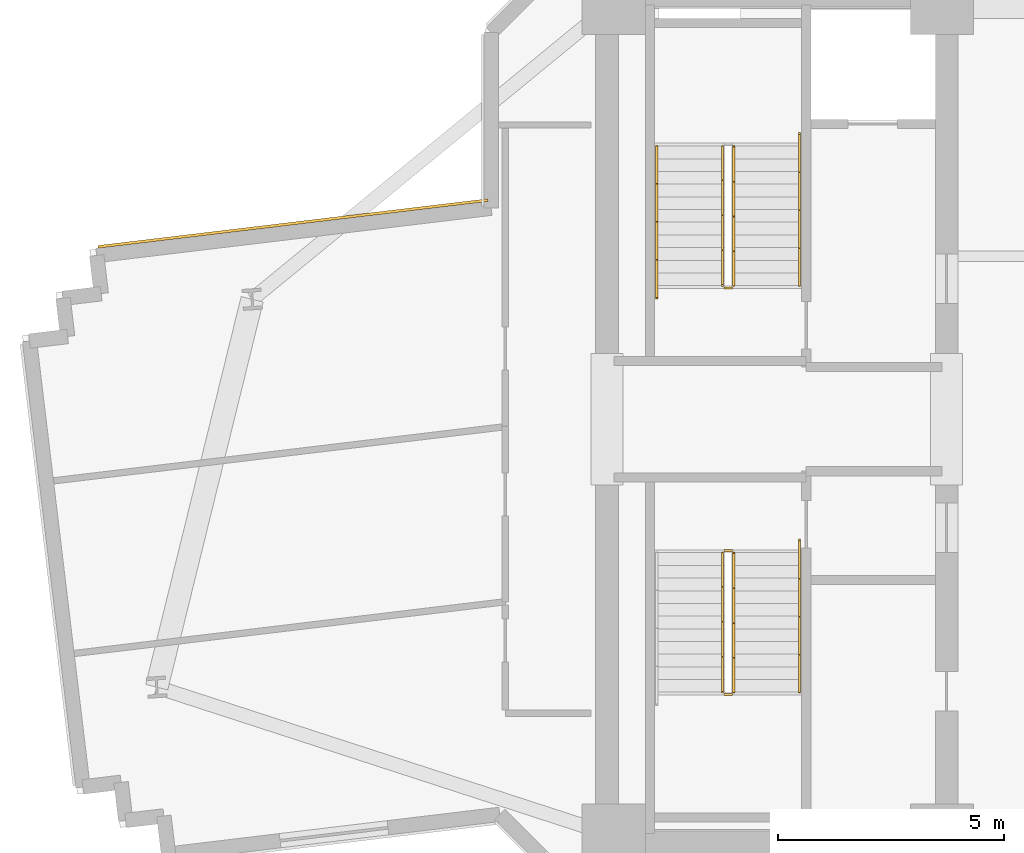
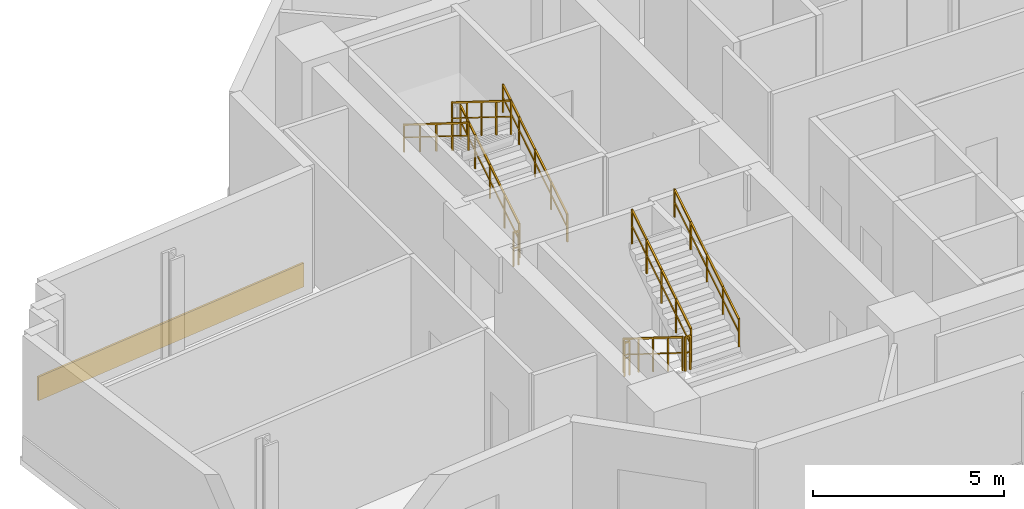
# One storey, part 12 of 15: 10 railings, 1 covering.
"""IFC4 building model written with IfcOpenShell, lengths in metres."""

from ifc_helpers import new_model, si_unit, direction, frame, origin, origin_2d, place, context, subcontext, project, spatial, rectangle, extrude, source, transform, mapped, material, layer, layer_set, type_object, element, save


model = new_model("IFC4")

# Units and contexts
model_context = context("Model", 3, precision=1e-05, world=origin(), true_north=direction((0.0, 1.0)))
body_context = subcontext(model_context, "Body", "Model", "MODEL_VIEW")
ifc_project = project(units=[si_unit("LENGTHUNIT", "METRE"), si_unit("AREAUNIT", "SQUARE_METRE"), si_unit("VOLUMEUNIT", "CUBIC_METRE"), si_unit("PLANEANGLEUNIT", "RADIAN"), si_unit("MASSUNIT", "GRAM", prefix="KILO")], contexts=[model_context])

# Site, building, storey
site_placement = place(None, origin())
site = spatial("IfcSite", under=ifc_project, at=site_placement, CompositionType="ELEMENT")
building_placement = place(site_placement, origin())
building = spatial("IfcBuilding", under=site, at=building_placement, Name="Zahravan Cultural Tower", CompositionType="ELEMENT")
storey_placement = place(building_placement, frame((0.0, 0.0, 108.89990234375)))
storey = spatial("IfcBuildingStorey", under=building, at=storey_placement, Name="L24", CompositionType="ELEMENT", Elevation=108.89990234375)

# Railings
ifc_material_1 = material(Name="Steel ASTM A572 Grade 50", Category="steel")
railing_type_1 = type_object("IfcRailingType", Name="RL-STAIR-GRD1150", PredefinedType="BALUSTRADE", material=ifc_material_1)
railing_1_placement = place(storey_placement, frame((24.300048828125, 29.949951171875, 0.175048828125)))
element("IfcRailing", 1, at=railing_1_placement, inside=storey, type_object=railing_type_1, Name="L24 ST-W1 stair guard 1", PredefinedType="BALUSTRADE", context=body_context, shape_type="SweptSolid", body=[
    extrude(rectangle(XDim=0.05, YDim=0.05, at=origin_2d()), frame((0.0, 0.0, 1.0751953125), z_axis=(0.0, 0.847998304005, 0.529998940003), x_axis=(-1.0, 0.0, 0.0)), (0.0, 0.0, 1.0), 3.632080078125),
    extrude(rectangle(XDim=0.032, YDim=0.032, at=origin_2d()), frame((0.0, 0.0, 0.572021484375), z_axis=(0.0, 0.847998304005, 0.529998940003), x_axis=(-1.0, 0.0, 0.0)), (0.0, 0.0, 1.0), 3.632080078125),
    extrude(rectangle(XDim=0.04, YDim=0.04, at=origin_2d()), origin(), (0.0, 0.0, 1.0), 1.10009765625),
    extrude(rectangle(XDim=0.04, YDim=0.04, at=origin_2d()), frame((0.0, 0.77001953125, 0.481201171875)), (0.0, 0.0, 1.0), 1.10009765625),
    extrude(rectangle(XDim=0.04, YDim=0.04, at=origin_2d()), frame((0.0, 1.5400390625, 0.96240234375)), (0.0, 0.0, 1.0), 1.10009765625),
    extrude(rectangle(XDim=0.04, YDim=0.04, at=origin_2d()), frame((0.0, 2.31005859375, 1.44384765625)), (0.0, 0.0, 1.0), 1.10009765625),
    extrude(rectangle(XDim=0.04, YDim=0.04, at=origin_2d()), frame((0.0, 3.080078125, 1.925048828125)), (0.0, 0.0, 1.0), 1.10009765625),
])
railing_2_placement = place(storey_placement, frame((24.050048828125, 33.030029296875, 2.275146484375)))
element("IfcRailing", 2, at=railing_2_placement, inside=storey, type_object=railing_type_1, Name="L24 ST-W1 stair guard 3", PredefinedType="BALUSTRADE", context=body_context, shape_type="SweptSolid", body=[
    extrude(rectangle(XDim=0.05, YDim=0.05, at=origin_2d()), frame((0.0, 0.0, 1.0751953125), z_axis=(0.0, -0.847998304005, 0.529998940003), x_axis=(1.0, 0.0, 0.0)), (0.0, 0.0, 1.0), 3.632080078125),
    extrude(rectangle(XDim=0.032, YDim=0.032, at=origin_2d()), frame((0.0, 0.0, 0.572021484375), z_axis=(0.0, -0.847998304005, 0.529998940003), x_axis=(1.0, 0.0, 0.0)), (0.0, 0.0, 1.0), 3.632080078125),
    extrude(rectangle(XDim=0.04, YDim=0.04, at=origin_2d()), origin(), (0.0, 0.0, 1.0), 1.10009765625),
    extrude(rectangle(XDim=0.04, YDim=0.04, at=origin_2d()), frame((0.0, -0.77001953125, 0.481201171875)), (0.0, 0.0, 1.0), 1.10009765625),
    extrude(rectangle(XDim=0.04, YDim=0.04, at=origin_2d()), frame((0.0, -1.5400390625, 0.96240234375)), (0.0, 0.0, 1.0), 1.10009765625),
    extrude(rectangle(XDim=0.04, YDim=0.04, at=origin_2d()), frame((0.0, -2.31005859375, 1.44384765625)), (0.0, 0.0, 1.0), 1.10009765625),
    extrude(rectangle(XDim=0.04, YDim=0.04, at=origin_2d()), frame((0.0, -3.080078125, 1.925048828125)), (0.0, 0.0, 1.0), 1.10009765625),
])
railing_3_placement = place(storey_placement, frame((24.25, 29.89990234375, 0.0)))
element("IfcRailing", 3, at=railing_3_placement, inside=storey, type_object=railing_type_1, Name="L24 ST-W1 stair guard 4", PredefinedType="BALUSTRADE", context=body_context, shape_type="SweptSolid", body=[
    extrude(rectangle(XDim=0.05, YDim=0.05, at=origin_2d()), frame((0.0, 0.0, 1.0751953125), z_axis=(-1.0, 0.0, 0.0), x_axis=(0.0, -1.0, 0.0)), (0.0, 0.0, 1.0), 0.14990234375),
    extrude(rectangle(XDim=0.032, YDim=0.032, at=origin_2d()), frame((0.0, 0.0, 0.572021484375), z_axis=(-1.0, 0.0, 0.0), x_axis=(0.0, -1.0, 0.0)), (0.0, 0.0, 1.0), 0.14990234375),
    extrude(rectangle(XDim=0.04, YDim=0.04, at=origin_2d()), origin(), (0.0, 0.0, 1.0), 1.10009765625),
    extrude(rectangle(XDim=0.04, YDim=0.04, at=origin_2d()), frame((-0.14990234375, 0.0, 0.0)), (0.0, 0.0, 1.0), 1.10009765625),
])
railing_4_placement = place(storey_placement, frame((24.050048828125, 24.050048828125, 0.175048828125)))
element("IfcRailing", 4, at=railing_4_placement, inside=storey, type_object=railing_type_1, Name="L24 ST-W2 stair guard 1", PredefinedType="BALUSTRADE", context=body_context, shape_type="SweptSolid", body=[
    extrude(rectangle(XDim=0.05, YDim=0.05, at=origin_2d()), frame((0.0, 0.0, 1.0751953125), z_axis=(0.0, -0.847998304005, 0.529998940003), x_axis=(1.0, 0.0, 0.0)), (0.0, 0.0, 1.0), 3.632080078125),
    extrude(rectangle(XDim=0.032, YDim=0.032, at=origin_2d()), frame((0.0, 0.0, 0.572021484375), z_axis=(0.0, -0.847998304005, 0.529998940003), x_axis=(1.0, 0.0, 0.0)), (0.0, 0.0, 1.0), 3.632080078125),
    extrude(rectangle(XDim=0.04, YDim=0.04, at=origin_2d()), origin(), (0.0, 0.0, 1.0), 1.10009765625),
    extrude(rectangle(XDim=0.04, YDim=0.04, at=origin_2d()), frame((0.0, -0.77001953125, 0.481201171875)), (0.0, 0.0, 1.0), 1.10009765625),
    extrude(rectangle(XDim=0.04, YDim=0.04, at=origin_2d()), frame((0.0, -1.5400390625, 0.96240234375)), (0.0, 0.0, 1.0), 1.10009765625),
    extrude(rectangle(XDim=0.04, YDim=0.04, at=origin_2d()), frame((0.0, -2.31005859375, 1.44384765625)), (0.0, 0.0, 1.0), 1.10009765625),
    extrude(rectangle(XDim=0.04, YDim=0.04, at=origin_2d()), frame((0.0, -3.080078125, 1.925048828125)), (0.0, 0.0, 1.0), 1.10009765625),
])
railing_5_placement = place(storey_placement, frame((24.10009765625, 20.919921875, 2.10009765625)))
element("IfcRailing", 5, at=railing_5_placement, inside=storey, type_object=railing_type_1, Name="L24 ST-W2 stair guard 2", PredefinedType="BALUSTRADE", context=body_context, shape_type="SweptSolid", body=[
    extrude(rectangle(XDim=0.05, YDim=0.05, at=origin_2d()), frame((0.0, 0.0, 1.0751953125), z_axis=(1.0, 0.0, 0.0), x_axis=(0.0, 1.0, 0.0)), (0.0, 0.0, 1.0), 0.14990234375),
    extrude(rectangle(XDim=0.032, YDim=0.032, at=origin_2d()), frame((0.0, 0.0, 0.572021484375), z_axis=(1.0, 0.0, 0.0), x_axis=(0.0, 1.0, 0.0)), (0.0, 0.0, 1.0), 0.14990234375),
    extrude(rectangle(XDim=0.04, YDim=0.04, at=origin_2d()), origin(), (0.0, 0.0, 1.0), 1.10009765625),
    extrude(rectangle(XDim=0.04, YDim=0.04, at=origin_2d()), frame((0.14990234375, 0.0, 0.0)), (0.0, 0.0, 1.0), 1.10009765625),
])
railing_6_placement = place(storey_placement, frame((24.300048828125, 20.969970703125, 2.275146484375)))
element("IfcRailing", 6, at=railing_6_placement, inside=storey, type_object=railing_type_1, Name="L24 ST-W2 stair guard 3", PredefinedType="BALUSTRADE", context=body_context, shape_type="SweptSolid", body=[
    extrude(rectangle(XDim=0.05, YDim=0.05, at=origin_2d()), frame((0.0, 0.0, 1.0751953125), z_axis=(0.0, 0.847998304005, 0.529998940003), x_axis=(-1.0, 0.0, 0.0)), (0.0, 0.0, 1.0), 3.632080078125),
    extrude(rectangle(XDim=0.032, YDim=0.032, at=origin_2d()), frame((0.0, 0.0, 0.572021484375), z_axis=(0.0, 0.847998304005, 0.529998940003), x_axis=(-1.0, 0.0, 0.0)), (0.0, 0.0, 1.0), 3.632080078125),
    extrude(rectangle(XDim=0.04, YDim=0.04, at=origin_2d()), origin(), (0.0, 0.0, 1.0), 1.10009765625),
    extrude(rectangle(XDim=0.04, YDim=0.04, at=origin_2d()), frame((0.0, 0.77001953125, 0.481201171875)), (0.0, 0.0, 1.0), 1.10009765625),
    extrude(rectangle(XDim=0.04, YDim=0.04, at=origin_2d()), frame((0.0, 1.5400390625, 0.96240234375)), (0.0, 0.0, 1.0), 1.10009765625),
    extrude(rectangle(XDim=0.04, YDim=0.04, at=origin_2d()), frame((0.0, 2.31005859375, 1.44384765625)), (0.0, 0.0, 1.0), 1.10009765625),
    extrude(rectangle(XDim=0.04, YDim=0.04, at=origin_2d()), frame((0.0, 3.080078125, 1.925048828125)), (0.0, 0.0, 1.0), 1.10009765625),
])
railing_7_placement = place(storey_placement, frame((24.10009765625, 24.10009765625, 0.0)))
element("IfcRailing", 7, at=railing_7_placement, inside=storey, type_object=railing_type_1, Name="L24 ST-W2 stair guard 4", PredefinedType="BALUSTRADE", context=body_context, shape_type="SweptSolid", body=[
    extrude(rectangle(XDim=0.05, YDim=0.05, at=origin_2d()), frame((0.0, 0.0, 1.0751953125), z_axis=(1.0, 0.0, 0.0), x_axis=(0.0, 1.0, 0.0)), (0.0, 0.0, 1.0), 0.14990234375),
    extrude(rectangle(XDim=0.032, YDim=0.032, at=origin_2d()), frame((0.0, 0.0, 0.572021484375), z_axis=(1.0, 0.0, 0.0), x_axis=(0.0, 1.0, 0.0)), (0.0, 0.0, 1.0), 0.14990234375),
    extrude(rectangle(XDim=0.04, YDim=0.04, at=origin_2d()), origin(), (0.0, 0.0, 1.0), 1.10009765625),
    extrude(rectangle(XDim=0.04, YDim=0.04, at=origin_2d()), frame((0.14990234375, 0.0, 0.0)), (0.0, 0.0, 1.0), 1.10009765625),
])
railing_type_2 = type_object("IfcRailingType", Name="RL-STAIR-HR900", PredefinedType="HANDRAIL", material=ifc_material_1)
railing_8_placement = place(storey_placement, frame((25.75, 29.949951171875, 0.175048828125)))
element("IfcRailing", 8, at=railing_8_placement, inside=storey, type_object=railing_type_2, Name="L24 ST-W1 stair handrail 1", PredefinedType="HANDRAIL", context=body_context, shape_type="SweptSolid", body=[
    extrude(rectangle(XDim=0.05, YDim=0.05, at=origin_2d()), frame((0.0, 0.0, 0.875), z_axis=(0.0, 0.847994842521, 0.530004478338), x_axis=(-1.0, 0.0, 0.0)), (0.0, 0.0, 1.0), 3.96240234375),
    extrude(rectangle(XDim=0.032, YDim=0.032, at=origin_2d()), frame((0.0, 0.0, 0.468017578125), z_axis=(0.0, 0.847994842521, 0.530004478338), x_axis=(-1.0, 0.0, 0.0)), (0.0, 0.0, 1.0), 3.96240234375),
    extrude(rectangle(XDim=0.04, YDim=0.04, at=origin_2d()), origin(), (0.0, 0.0, 1.0), 0.89990234375),
    extrude(rectangle(XDim=0.04, YDim=0.04, at=origin_2d()), frame((0.0, 0.840087890625, 0.52490234375)), (0.0, 0.0, 1.0), 0.89990234375),
    extrude(rectangle(XDim=0.04, YDim=0.04, at=origin_2d()), frame((0.0, 1.68017578125, 1.050048828125)), (0.0, 0.0, 1.0), 0.89990234375),
    extrude(rectangle(XDim=0.04, YDim=0.04, at=origin_2d()), frame((0.0, 2.52001953125, 1.5751953125)), (0.0, 0.0, 1.0), 0.89990234375),
    extrude(rectangle(XDim=0.04, YDim=0.04, at=origin_2d()), frame((0.0, 3.360107421875, 2.10009765625)), (0.0, 0.0, 1.0), 0.89990234375),
])
railing_9_placement = place(storey_placement, frame((22.60009765625, 33.030029296875, 2.275146484375)))
element("IfcRailing", 9, at=railing_9_placement, inside=storey, type_object=railing_type_2, Name="L24 ST-W1 stair handrail 2", PredefinedType="HANDRAIL", context=body_context, shape_type="SweptSolid", body=[
    extrude(rectangle(XDim=0.05, YDim=0.05, at=origin_2d()), frame((0.0, 0.0, 0.875), z_axis=(0.0, -0.848022534174, 0.529960169762), x_axis=(1.0, 0.0, 0.0)), (0.0, 0.0, 1.0), 3.96240234375),
    extrude(rectangle(XDim=0.032, YDim=0.032, at=origin_2d()), frame((0.0, 0.0, 0.468017578125), z_axis=(0.0, -0.848022534174, 0.529960169762), x_axis=(1.0, 0.0, 0.0)), (0.0, 0.0, 1.0), 3.96240234375),
    extrude(rectangle(XDim=0.04, YDim=0.04, at=origin_2d()), origin(), (0.0, 0.0, 1.0), 0.89990234375),
    extrude(rectangle(XDim=0.04, YDim=0.04, at=origin_2d()), frame((0.0, -0.840087890625, 0.52490234375)), (0.0, 0.0, 1.0), 0.89990234375),
    extrude(rectangle(XDim=0.04, YDim=0.04, at=origin_2d()), frame((0.0, -1.68017578125, 1.0498046875)), (0.0, 0.0, 1.0), 0.89990234375),
    extrude(rectangle(XDim=0.04, YDim=0.04, at=origin_2d()), frame((0.0, -2.52001953125, 1.574951171875)), (0.0, 0.0, 1.0), 0.89990234375),
    extrude(rectangle(XDim=0.04, YDim=0.04, at=origin_2d()), frame((0.0, -3.360107421875, 2.099853515625)), (0.0, 0.0, 1.0), 0.89990234375),
])
railing_10_placement = place(storey_placement, frame((25.75, 20.969970703125, 2.275146484375)))
element("IfcRailing", 10, at=railing_10_placement, inside=storey, type_object=railing_type_2, Name="L24 ST-W2 stair handrail 2", PredefinedType="HANDRAIL", context=body_context, shape_type="SweptSolid", body=[
    extrude(rectangle(XDim=0.05, YDim=0.05, at=origin_2d()), frame((0.0, 0.0, 0.875), z_axis=(0.0, 0.848022534174, 0.529960169762), x_axis=(-1.0, 0.0, 0.0)), (0.0, 0.0, 1.0), 3.96240234375),
    extrude(rectangle(XDim=0.032, YDim=0.032, at=origin_2d()), frame((0.0, 0.0, 0.468017578125), z_axis=(0.0, 0.848022534174, 0.529960169762), x_axis=(-1.0, 0.0, 0.0)), (0.0, 0.0, 1.0), 3.96240234375),
    extrude(rectangle(XDim=0.04, YDim=0.04, at=origin_2d()), origin(), (0.0, 0.0, 1.0), 0.89990234375),
    extrude(rectangle(XDim=0.04, YDim=0.04, at=origin_2d()), frame((0.0, 0.840087890625, 0.52490234375)), (0.0, 0.0, 1.0), 0.89990234375),
    extrude(rectangle(XDim=0.04, YDim=0.04, at=origin_2d()), frame((0.0, 1.68017578125, 1.0498046875)), (0.0, 0.0, 1.0), 0.89990234375),
    extrude(rectangle(XDim=0.04, YDim=0.04, at=origin_2d()), frame((0.0, 2.52001953125, 1.574951171875)), (0.0, 0.0, 1.0), 0.89990234375),
    extrude(rectangle(XDim=0.04, YDim=0.04, at=origin_2d()), frame((0.0, 3.360107421875, 2.099853515625)), (0.0, 0.0, 1.0), 0.89990234375),
])

# Covering
ifc_material_2 = material(Name="Terracotta ceramic cladding", Category="masonry")
ifc_layer = layer(ifc_material_2, 0.06005859375)
ifc_layer_set = layer_set([ifc_layer], Name="Terracotta ceramic cladding")
covering_type = type_object("IfcCoveringType", Name="COV-CLAD-TC60", PredefinedType="CLADDING", material=ifc_layer_set)
shared_shape = source(origin(), body_context, "Body", "SweptSolid", [
    extrude(rectangle(XDim=8.676513671875, YDim=0.06005859375, at=origin_2d()), origin(), (0.0, 0.0, 1.0), 0.760009765625),
])
covering_placement = place(storey_placement, frame((14.560791015625, 31.322509765625, 0.02001953125), z_axis=(0.0, 0.0, 1.0), x_axis=(0.99288260457, 0.119097160095, 0.0)))
element("IfcCovering", 11, at=covering_placement, inside=storey, type_object=covering_type, Name="L24 Terracotta Spandrel Cladding 37", PredefinedType="CLADDING", context=body_context, shape_type="MappedRepresentation", body=[
    mapped(shared_shape, transform((0.0, 0.0, 0.0), x_axis=(1.0, 0.0, 0.0), y_axis=(0.0, 1.0, 0.0), z_axis=(0.0, 0.0, 1.0), scale=1.0)),
])

save(model, "model.ifc")
